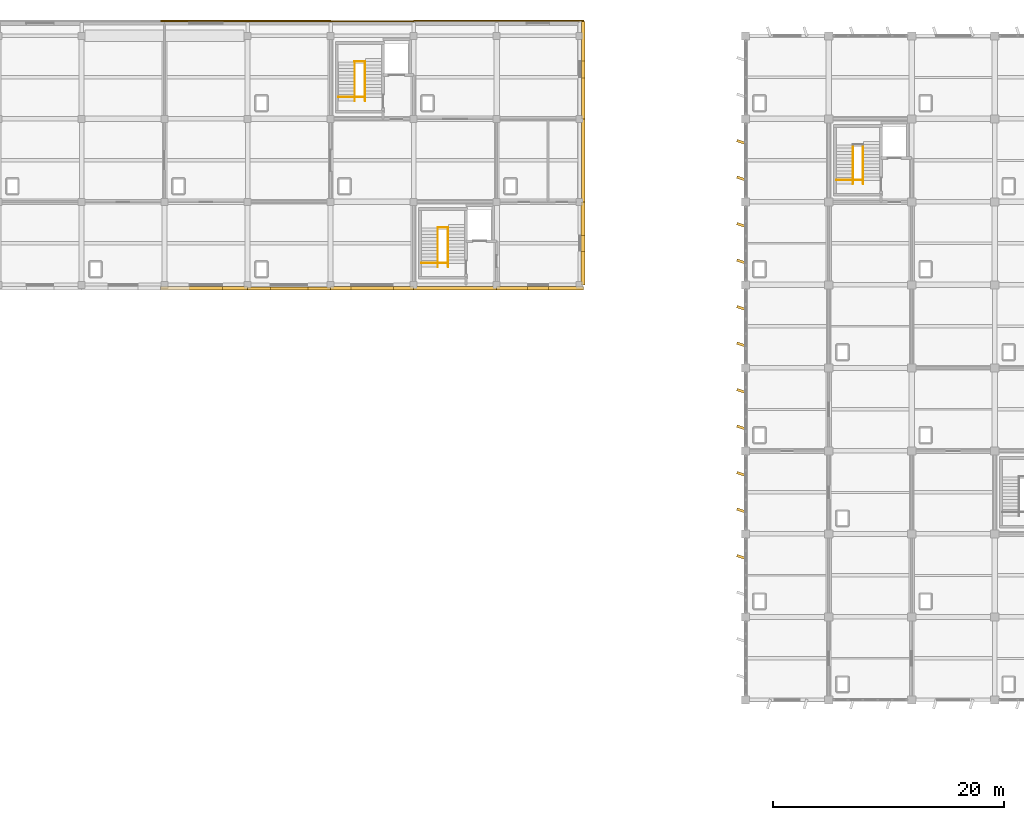
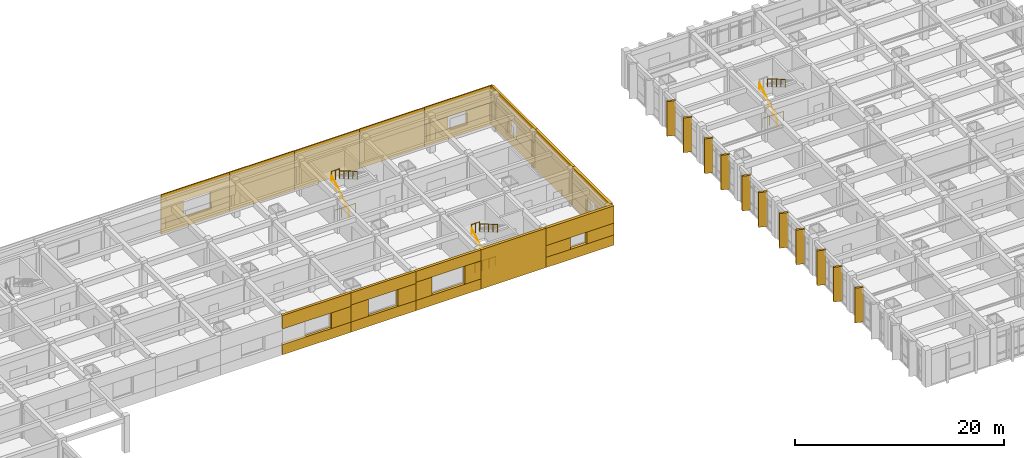
# One storey, part 67 of 70: 47 coverings, 11 railings.
"""IFC4 building model written with IfcOpenShell, lengths in metres."""

from ifc_helpers import new_model, si_unit, direction, frame, origin, origin_2d, place, context, subcontext, project, spatial, polyline, rectangle, circle, outline, extrude, material, layer, layer_set, type_object, element, save


model = new_model("IFC4")

# Units and contexts
model_context = context("Model", 3, precision=1e-05, world=origin(), true_north=direction((0.0, 1.0)))
body_context = subcontext(model_context, "Body", "Model", "MODEL_VIEW")
ifc_project = project(units=[si_unit("LENGTHUNIT", "METRE"), si_unit("AREAUNIT", "SQUARE_METRE"), si_unit("VOLUMEUNIT", "CUBIC_METRE"), si_unit("PLANEANGLEUNIT", "RADIAN"), si_unit("MASSUNIT", "GRAM", prefix="KILO")], contexts=[model_context])

# Site, building, storey
site_placement = place(None, origin())
site = spatial("IfcSite", under=ifc_project, at=site_placement, CompositionType="ELEMENT")
building_placement = place(site_placement, origin())
building = spatial("IfcBuilding", under=site, at=building_placement, Name="Kavelor Marine Aquarium", CompositionType="ELEMENT")
storey_placement = place(building_placement, frame((0.0, 0.0, 9.179931640625)))
storey = spatial("IfcBuildingStorey", under=building, at=storey_placement, Name="L02", CompositionType="ELEMENT", Elevation=9.179931640625)

# Coverings
ifc_material_1 = material(Name="Precast Concrete C45/55 Coastal Brise-Soleil Fin", Category="concrete")
ifc_layer_1 = layer(ifc_material_1, 0.219970703125)
ifc_layer_set_1 = layer_set([ifc_layer_1], Name="COV-CL1")
covering_type_1 = type_object("IfcCoveringType", Name="COV-CL1", PredefinedType="CLADDING", material=ifc_layer_set_1)
for number, where, z_axis, x_axis, name in (
    (1, (118.0400390625, 65.583984375, 0.0), (0.0, 0.0, 1.0), (0.951056516295, -0.309016994375, 0.0), "fin:y:L02:16_08:1"),
    (2, (118.0400390625, 69.615966796875, 0.0), (0.0, 0.0, 1.0), (0.951056516295, -0.309016994375, 0.0), "fin:y:L02:16_09:0"),
    (3, (118.0400390625, 72.783935546875, 0.0), (0.0, 0.0, 1.0), (0.951056516295, -0.309016994375, 0.0), "fin:y:L02:16_09:1"),
    (4, (118.0400390625, 76.81591796875, 0.0), (0.0, 0.0, 1.0), (0.951056516295, -0.309016994375, 0.0), "fin:y:L02:16_10:0"),
    (5, (118.0400390625, 79.98388671875, 0.0), (0.0, 0.0, 1.0), (0.951056516295, -0.309016994375, 0.0), "fin:y:L02:16_10:1"),
    (6, (118.0400390625, 84.01611328125, 0.0), (0.0, 0.0, 1.0), (0.951056516295, -0.309016994375, 0.0), "fin:y:L02:16_11:0"),
    (7, (118.0400390625, 87.18408203125, 0.0), (0.0, 0.0, 1.0), (0.951056516295, -0.309016994375, 0.0), "fin:y:L02:16_11:1"),
    (8, (118.0400390625, 91.216064453125, 0.0), (0.0, 0.0, 1.0), (0.951056516295, -0.309016994375, 0.0), "fin:y:L02:16_12:0"),
    (9, (118.0400390625, 94.384033203125, 0.0), (0.0, 0.0, 1.0), (0.951056516295, -0.309016994375, 0.0), "fin:y:L02:16_12:1"),
    (10, (118.0400390625, 98.416015625, 0.0), (0.0, 0.0, 1.0), (0.951056516295, -0.309016994375, 0.0), "fin:y:L02:16_13:0"),
    (11, (118.0400390625, 101.583984375, 0.0), (0.0, 0.0, 1.0), (0.951056516295, -0.309016994375, 0.0), "fin:y:L02:16_13:1"),
):
    element("IfcCovering", number, at=place(storey_placement, frame(where, z_axis=z_axis, x_axis=x_axis)), inside=storey, type_object=covering_type_1, Name=name, PredefinedType="CLADDING", context=body_context, shape_type="SweptSolid", body=[
        extrude(rectangle(XDim=0.85009765625, YDim=0.219970703125, at=origin_2d()), origin(), (0.0, 0.0, 1.0), 4.06005859375),
    ])
ifc_material_2 = material(Name="Smooth White Marine Aluminium Composite Cladding", Category="aluminium")
ifc_layer_2 = layer(ifc_material_2, 0.10009765625)
ifc_layer_set_2 = layer_set([ifc_layer_2], Name="COV-WM1")
covering_type_2 = type_object("IfcCoveringType", Name="COV-WM1", PredefinedType="CLADDING", material=ifc_layer_set_2)
covering_1_placement = place(storey_placement, frame((0.0, 0.0, -0.280029296875)))
element("IfcCovering", 12, at=covering_1_placement, inside=storey, type_object=covering_type_2, Name="wmc:x:L02:09_12:sill", PredefinedType="CLADDING", context=body_context, shape_type="SweptSolid", body=[
    extrude(outline(polyline([(67.64990234375, 88.760009765625), (75.199951171875, 88.760009765625), (75.199951171875, 89.0400390625), (67.64990234375, 89.0400390625), (67.64990234375, 88.760009765625)])), origin(), (0.0, 0.0, 1.0), 1.190185546875),
])
covering_2_placement = place(storey_placement, frame((0.0, 0.0, 2.739990234375)))
element("IfcCovering", 13, at=covering_2_placement, inside=storey, type_object=covering_type_2, Name="wmc:x:L02:09_12:head", PredefinedType="CLADDING", context=body_context, shape_type="SweptSolid", body=[
    extrude(outline(polyline([(67.64990234375, 88.760009765625), (75.199951171875, 88.760009765625), (75.199951171875, 89.0400390625), (67.64990234375, 89.0400390625), (67.64990234375, 88.760009765625)])), origin(), (0.0, 0.0, 1.0), 1.580078125),
])
covering_3_placement = place(storey_placement, frame((0.0, 0.0, 0.91015625)))
element("IfcCovering", 14, at=covering_3_placement, inside=storey, type_object=covering_type_2, Name="wmc:x:L02:09_12:right", PredefinedType="CLADDING", context=body_context, shape_type="SweptSolid", body=[
    extrude(outline(polyline([(73.0400390625, 88.760009765625), (75.199951171875, 88.760009765625), (75.199951171875, 89.0400390625), (73.0400390625, 89.0400390625), (73.0400390625, 88.760009765625)])), origin(), (0.0, 0.0, 1.0), 1.829833984375),
])
covering_4_placement = place(storey_placement, frame((0.0, 0.0, -0.280029296875)))
element("IfcCovering", 15, at=covering_4_placement, inside=storey, type_object=covering_type_2, Name="wmc:x:L02:09_15:sill", PredefinedType="CLADDING", context=body_context, shape_type="SweptSolid", body=[
    extrude(outline(polyline([(67.64990234375, 112.02001953125), (75.199951171875, 112.02001953125), (75.199951171875, 112.139892578125), (67.64990234375, 112.139892578125), (67.64990234375, 112.02001953125)])), origin(), (0.0, 0.0, 1.0), 1.190185546875),
])
covering_5_placement = place(storey_placement, frame((0.0, 0.0, 2.7900390625)))
element("IfcCovering", 16, at=covering_5_placement, inside=storey, type_object=covering_type_2, Name="wmc:x:L02:09_15:head", PredefinedType="CLADDING", context=body_context, shape_type="SweptSolid", body=[
    extrude(outline(polyline([(67.64990234375, 112.02001953125), (75.199951171875, 112.02001953125), (75.199951171875, 112.139892578125), (67.64990234375, 112.139892578125), (67.64990234375, 112.02001953125)])), origin(), (0.0, 0.0, 1.0), 1.530029296875),
])
covering_6_placement = place(storey_placement, frame((0.0, 0.0, 0.91015625)))
element("IfcCovering", 17, at=covering_6_placement, inside=storey, type_object=covering_type_2, Name="wmc:x:L02:09_15:left", PredefinedType="CLADDING", context=body_context, shape_type="SweptSolid", body=[
    extrude(outline(polyline([(67.64990234375, 112.02001953125), (70.110107421875, 112.02001953125), (70.110107421875, 112.139892578125), (67.64990234375, 112.139892578125), (67.64990234375, 112.02001953125)])), origin(), (0.0, 0.0, 1.0), 1.8798828125),
])
covering_7_placement = place(storey_placement, frame((0.0, 0.0, 0.91015625)))
element("IfcCovering", 18, at=covering_7_placement, inside=storey, type_object=covering_type_2, Name="wmc:x:L02:09_15:right", PredefinedType="CLADDING", context=body_context, shape_type="SweptSolid", body=[
    extrude(outline(polyline([(73.090087890625, 112.02001953125), (75.199951171875, 112.02001953125), (75.199951171875, 112.139892578125), (73.090087890625, 112.139892578125), (73.090087890625, 112.02001953125)])), origin(), (0.0, 0.0, 1.0), 1.8798828125),
])
covering_8_placement = place(storey_placement, frame((0.0, 0.0, -0.280029296875)))
element("IfcCovering", 19, at=covering_8_placement, inside=storey, type_object=covering_type_2, Name="wmc:x:L02:10_12:sill", PredefinedType="CLADDING", context=body_context, shape_type="SweptSolid", body=[
    extrude(outline(polyline([(75.199951171875, 88.760009765625), (82.39990234375, 88.760009765625), (82.39990234375, 89.030029296875), (75.199951171875, 89.030029296875), (75.199951171875, 88.760009765625)])), origin(), (0.0, 0.0, 1.0), 1.190185546875),
])
covering_9_placement = place(storey_placement, frame((0.0, 0.0, 2.89013671875)))
element("IfcCovering", 20, at=covering_9_placement, inside=storey, type_object=covering_type_2, Name="wmc:x:L02:10_12:head", PredefinedType="CLADDING", context=body_context, shape_type="SweptSolid", body=[
    extrude(outline(polyline([(75.199951171875, 88.760009765625), (82.39990234375, 88.760009765625), (82.39990234375, 89.030029296875), (75.199951171875, 89.030029296875), (75.199951171875, 88.760009765625)])), origin(), (0.0, 0.0, 1.0), 1.429931640625),
])
covering_10_placement = place(storey_placement, frame((0.0, 0.0, 0.91015625)))
element("IfcCovering", 21, at=covering_10_placement, inside=storey, type_object=covering_type_2, Name="wmc:x:L02:10_12:left", PredefinedType="CLADDING", context=body_context, shape_type="SweptSolid", body=[
    extrude(outline(polyline([(75.199951171875, 88.760009765625), (77.18505859375, 88.760009765625), (77.18505859375, 89.030029296875), (75.199951171875, 89.030029296875), (75.199951171875, 88.760009765625)])), origin(), (0.0, 0.0, 1.0), 1.97998046875),
])
covering_11_placement = place(storey_placement, frame((0.0, 0.0, 0.91015625)))
element("IfcCovering", 22, at=covering_11_placement, inside=storey, type_object=covering_type_2, Name="wmc:x:L02:10_12:right", PredefinedType="CLADDING", context=body_context, shape_type="SweptSolid", body=[
    extrude(outline(polyline([(80.4150390625, 88.760009765625), (82.39990234375, 88.760009765625), (82.39990234375, 89.030029296875), (80.4150390625, 89.030029296875), (80.4150390625, 88.760009765625)])), origin(), (0.0, 0.0, 1.0), 1.97998046875),
])
covering_12_placement = place(storey_placement, frame((0.0, 0.0, -0.280029296875)))
element("IfcCovering", 23, at=covering_12_placement, inside=storey, type_object=covering_type_2, Name="wmc:x:L02:10_15:full", PredefinedType="CLADDING", context=body_context, shape_type="SweptSolid", body=[
    extrude(outline(polyline([(75.199951171875, 112.010009765625), (82.39990234375, 112.010009765625), (82.39990234375, 112.1298828125), (75.199951171875, 112.1298828125), (75.199951171875, 112.010009765625)])), origin(), (0.0, 0.0, 1.0), 4.60009765625),
])
covering_13_placement = place(storey_placement, frame((0.0, 0.0, -0.280029296875)))
element("IfcCovering", 24, at=covering_13_placement, inside=storey, type_object=covering_type_2, Name="wmc:x:L02:11_12:sill", PredefinedType="CLADDING", context=body_context, shape_type="SweptSolid", body=[
    extrude(outline(polyline([(82.39990234375, 88.760009765625), (89.60009765625, 88.760009765625), (89.60009765625, 89.050048828125), (82.39990234375, 89.050048828125), (82.39990234375, 88.760009765625)])), origin(), (0.0, 0.0, 1.0), 1.190185546875),
])
covering_14_placement = place(storey_placement, frame((0.0, 0.0, 3.0400390625)))
element("IfcCovering", 25, at=covering_14_placement, inside=storey, type_object=covering_type_2, Name="wmc:x:L02:11_12:head", PredefinedType="CLADDING", context=body_context, shape_type="SweptSolid", body=[
    extrude(outline(polyline([(82.39990234375, 88.760009765625), (89.60009765625, 88.760009765625), (89.60009765625, 89.050048828125), (82.39990234375, 89.050048828125), (82.39990234375, 88.760009765625)])), origin(), (0.0, 0.0, 1.0), 1.280029296875),
])
covering_15_placement = place(storey_placement, frame((0.0, 0.0, 0.91015625)))
element("IfcCovering", 26, at=covering_15_placement, inside=storey, type_object=covering_type_2, Name="wmc:x:L02:11_12:left", PredefinedType="CLADDING", context=body_context, shape_type="SweptSolid", body=[
    extrude(outline(polyline([(82.39990234375, 88.760009765625), (84.159912109375, 88.760009765625), (84.159912109375, 89.050048828125), (82.39990234375, 89.050048828125), (82.39990234375, 88.760009765625)])), origin(), (0.0, 0.0, 1.0), 2.1298828125),
])
covering_16_placement = place(storey_placement, frame((0.0, 0.0, 0.91015625)))
element("IfcCovering", 27, at=covering_16_placement, inside=storey, type_object=covering_type_2, Name="wmc:x:L02:11_12:right", PredefinedType="CLADDING", context=body_context, shape_type="SweptSolid", body=[
    extrude(outline(polyline([(87.840087890625, 88.760009765625), (89.60009765625, 88.760009765625), (89.60009765625, 89.050048828125), (87.840087890625, 89.050048828125), (87.840087890625, 88.760009765625)])), origin(), (0.0, 0.0, 1.0), 2.1298828125),
])
covering_17_placement = place(storey_placement, frame((0.0, 0.0, -0.280029296875)))
element("IfcCovering", 28, at=covering_17_placement, inside=storey, type_object=covering_type_2, Name="wmc:x:L02:11_15:full", PredefinedType="CLADDING", context=body_context, shape_type="SweptSolid", body=[
    extrude(outline(polyline([(82.39990234375, 112.0), (89.60009765625, 112.0), (89.60009765625, 112.1201171875), (82.39990234375, 112.1201171875), (82.39990234375, 112.0)])), origin(), (0.0, 0.0, 1.0), 4.60009765625),
])
covering_18_placement = place(storey_placement, frame((0.0, 0.0, -0.280029296875)))
element("IfcCovering", 29, at=covering_18_placement, inside=storey, type_object=covering_type_2, Name="wmc:x:L02:12_12:full", PredefinedType="CLADDING", context=body_context, shape_type="SweptSolid", body=[
    extrude(outline(polyline([(89.60009765625, 88.760009765625), (96.800048828125, 88.760009765625), (96.800048828125, 89.06005859375), (89.60009765625, 89.06005859375), (89.60009765625, 88.760009765625)])), origin(), (0.0, 0.0, 1.0), 4.60009765625),
])
covering_19_placement = place(storey_placement, frame((0.0, 0.0, -0.280029296875)))
element("IfcCovering", 30, at=covering_19_placement, inside=storey, type_object=covering_type_2, Name="wmc:x:L02:12_15:full", PredefinedType="CLADDING", context=body_context, shape_type="SweptSolid", body=[
    extrude(outline(polyline([(89.60009765625, 112.0400390625), (96.800048828125, 112.0400390625), (96.800048828125, 112.159912109375), (89.60009765625, 112.159912109375), (89.60009765625, 112.0400390625)])), origin(), (0.0, 0.0, 1.0), 4.60009765625),
])
covering_20_placement = place(storey_placement, frame((0.0, 0.0, -0.280029296875)))
element("IfcCovering", 31, at=covering_20_placement, inside=storey, type_object=covering_type_2, Name="wmc:x:L02:13_12:sill", PredefinedType="CLADDING", context=body_context, shape_type="SweptSolid", body=[
    extrude(outline(polyline([(96.800048828125, 88.760009765625), (104.35009765625, 88.760009765625), (104.35009765625, 89.070068359375), (96.800048828125, 89.070068359375), (96.800048828125, 88.760009765625)])), origin(), (0.0, 0.0, 1.0), 1.190185546875),
])
covering_21_placement = place(storey_placement, frame((0.0, 0.0, 2.2900390625)))
element("IfcCovering", 32, at=covering_21_placement, inside=storey, type_object=covering_type_2, Name="wmc:x:L02:13_12:head", PredefinedType="CLADDING", context=body_context, shape_type="SweptSolid", body=[
    extrude(outline(polyline([(96.800048828125, 88.760009765625), (104.35009765625, 88.760009765625), (104.35009765625, 89.070068359375), (96.800048828125, 89.070068359375), (96.800048828125, 88.760009765625)])), origin(), (0.0, 0.0, 1.0), 2.030029296875),
])
covering_22_placement = place(storey_placement, frame((0.0, 0.0, 0.91015625)))
element("IfcCovering", 33, at=covering_22_placement, inside=storey, type_object=covering_type_2, Name="wmc:x:L02:13_12:left", PredefinedType="CLADDING", context=body_context, shape_type="SweptSolid", body=[
    extrude(outline(polyline([(96.800048828125, 88.760009765625), (99.485107421875, 88.760009765625), (99.485107421875, 89.070068359375), (96.800048828125, 89.070068359375), (96.800048828125, 88.760009765625)])), origin(), (0.0, 0.0, 1.0), 1.3798828125),
])
covering_23_placement = place(storey_placement, frame((0.0, 0.0, 0.91015625)))
element("IfcCovering", 34, at=covering_23_placement, inside=storey, type_object=covering_type_2, Name="wmc:x:L02:13_12:right", PredefinedType="CLADDING", context=body_context, shape_type="SweptSolid", body=[
    extrude(outline(polyline([(101.31494140625, 88.760009765625), (104.35009765625, 88.760009765625), (104.35009765625, 89.070068359375), (101.31494140625, 89.070068359375), (101.31494140625, 88.760009765625)])), origin(), (0.0, 0.0, 1.0), 1.3798828125),
])
covering_24_placement = place(storey_placement, frame((0.0, 0.0, -0.280029296875)))
element("IfcCovering", 35, at=covering_24_placement, inside=storey, type_object=covering_type_2, Name="wmc:x:L02:13_15:sill", PredefinedType="CLADDING", context=body_context, shape_type="SweptSolid", body=[
    extrude(outline(polyline([(96.800048828125, 112.050048828125), (104.35009765625, 112.050048828125), (104.35009765625, 112.169921875), (96.800048828125, 112.169921875), (96.800048828125, 112.050048828125)])), origin(), (0.0, 0.0, 1.0), 1.190185546875),
])
covering_25_placement = place(storey_placement, frame((0.0, 0.0, 2.340087890625)))
element("IfcCovering", 36, at=covering_25_placement, inside=storey, type_object=covering_type_2, Name="wmc:x:L02:13_15:head", PredefinedType="CLADDING", context=body_context, shape_type="SweptSolid", body=[
    extrude(outline(polyline([(96.800048828125, 112.050048828125), (104.35009765625, 112.050048828125), (104.35009765625, 112.169921875), (96.800048828125, 112.169921875), (96.800048828125, 112.050048828125)])), origin(), (0.0, 0.0, 1.0), 1.97998046875),
])
covering_26_placement = place(storey_placement, frame((0.0, 0.0, 0.91015625)))
element("IfcCovering", 37, at=covering_26_placement, inside=storey, type_object=covering_type_2, Name="wmc:x:L02:13_15:left", PredefinedType="CLADDING", context=body_context, shape_type="SweptSolid", body=[
    extrude(outline(polyline([(96.800048828125, 112.050048828125), (99.385009765625, 112.050048828125), (99.385009765625, 112.169921875), (96.800048828125, 112.169921875), (96.800048828125, 112.050048828125)])), origin(), (0.0, 0.0, 1.0), 1.429931640625),
])
covering_27_placement = place(storey_placement, frame((0.0, 0.0, 0.91015625)))
element("IfcCovering", 38, at=covering_27_placement, inside=storey, type_object=covering_type_2, Name="wmc:x:L02:13_15:right", PredefinedType="CLADDING", context=body_context, shape_type="SweptSolid", body=[
    extrude(outline(polyline([(101.4150390625, 112.050048828125), (104.35009765625, 112.050048828125), (104.35009765625, 112.169921875), (101.4150390625, 112.169921875), (101.4150390625, 112.050048828125)])), origin(), (0.0, 0.0, 1.0), 1.429931640625),
])
covering_28_placement = place(storey_placement, frame((0.0, 0.0, -0.280029296875)))
element("IfcCovering", 39, at=covering_28_placement, inside=storey, type_object=covering_type_2, Name="wmc:y:L02:14_12:sill", PredefinedType="CLADDING", context=body_context, shape_type="SweptSolid", body=[
    extrude(outline(polyline([(104.1201171875, 89.199951171875), (104.43994140625, 89.199951171875), (104.43994140625, 96.39990234375), (104.1201171875, 96.39990234375), (104.1201171875, 89.199951171875)])), origin(), (0.0, 0.0, 1.0), 1.190185546875),
])
covering_29_placement = place(storey_placement, frame((0.0, 0.0, 2.5400390625)))
element("IfcCovering", 40, at=covering_29_placement, inside=storey, type_object=covering_type_2, Name="wmc:y:L02:14_12:head", PredefinedType="CLADDING", context=body_context, shape_type="SweptSolid", body=[
    extrude(outline(polyline([(104.1201171875, 89.199951171875), (104.43994140625, 89.199951171875), (104.43994140625, 96.39990234375), (104.1201171875, 96.39990234375), (104.1201171875, 89.199951171875)])), origin(), (0.0, 0.0, 1.0), 1.780029296875),
])
covering_30_placement = place(storey_placement, frame((0.0, 0.0, 0.91015625)))
element("IfcCovering", 41, at=covering_30_placement, inside=storey, type_object=covering_type_2, Name="wmc:y:L02:14_12:left", PredefinedType="CLADDING", context=body_context, shape_type="SweptSolid", body=[
    extrude(outline(polyline([(104.1201171875, 89.199951171875), (104.43994140625, 89.199951171875), (104.43994140625, 92.110107421875), (104.1201171875, 92.110107421875), (104.1201171875, 89.199951171875)])), origin(), (0.0, 0.0, 1.0), 1.6298828125),
])
covering_31_placement = place(storey_placement, frame((0.0, 0.0, 0.91015625)))
element("IfcCovering", 42, at=covering_31_placement, inside=storey, type_object=covering_type_2, Name="wmc:y:L02:14_12:right", PredefinedType="CLADDING", context=body_context, shape_type="SweptSolid", body=[
    extrude(outline(polyline([(104.1201171875, 93.489990234375), (104.43994140625, 93.489990234375), (104.43994140625, 96.39990234375), (104.1201171875, 96.39990234375), (104.1201171875, 93.489990234375)])), origin(), (0.0, 0.0, 1.0), 1.6298828125),
])
covering_32_placement = place(storey_placement, frame((0.0, 0.0, -0.280029296875)))
element("IfcCovering", 43, at=covering_32_placement, inside=storey, type_object=covering_type_2, Name="wmc:y:L02:14_13:full", PredefinedType="CLADDING", context=body_context, shape_type="SweptSolid", body=[
    extrude(outline(polyline([(104.159912109375, 96.39990234375), (104.43994140625, 96.39990234375), (104.43994140625, 103.60009765625), (104.159912109375, 103.60009765625), (104.159912109375, 96.39990234375)])), origin(), (0.0, 0.0, 1.0), 4.60009765625),
])
covering_33_placement = place(storey_placement, frame((0.0, 0.0, -0.280029296875)))
element("IfcCovering", 44, at=covering_33_placement, inside=storey, type_object=covering_type_2, Name="wmc:y:L02:14_14:sill", PredefinedType="CLADDING", context=body_context, shape_type="SweptSolid", body=[
    extrude(outline(polyline([(104.169921875, 103.60009765625), (104.43994140625, 103.60009765625), (104.43994140625, 112.0400390625), (104.169921875, 112.0400390625), (104.169921875, 103.60009765625)])), origin(), (0.0, 0.0, 1.0), 1.190185546875),
])
covering_34_placement = place(storey_placement, frame((0.0, 0.0, 2.590087890625)))
element("IfcCovering", 45, at=covering_34_placement, inside=storey, type_object=covering_type_2, Name="wmc:y:L02:14_14:head", PredefinedType="CLADDING", context=body_context, shape_type="SweptSolid", body=[
    extrude(outline(polyline([(104.169921875, 103.60009765625), (104.43994140625, 103.60009765625), (104.43994140625, 112.0400390625), (104.169921875, 112.0400390625), (104.169921875, 103.60009765625)])), origin(), (0.0, 0.0, 1.0), 1.72998046875),
])
covering_35_placement = place(storey_placement, frame((0.0, 0.0, 0.91015625)))
element("IfcCovering", 46, at=covering_35_placement, inside=storey, type_object=covering_type_2, Name="wmc:y:L02:14_14:left", PredefinedType="CLADDING", context=body_context, shape_type="SweptSolid", body=[
    extrude(outline(polyline([(104.169921875, 103.60009765625), (104.43994140625, 103.60009765625), (104.43994140625, 107.1474609375), (104.169921875, 107.1474609375), (104.169921875, 103.60009765625)])), origin(), (0.0, 0.0, 1.0), 1.679931640625),
])
covering_36_placement = place(storey_placement, frame((0.0, 0.0, 0.91015625)))
element("IfcCovering", 47, at=covering_36_placement, inside=storey, type_object=covering_type_2, Name="wmc:y:L02:14_14:right", PredefinedType="CLADDING", context=body_context, shape_type="SweptSolid", body=[
    extrude(outline(polyline([(104.169921875, 108.62744140625), (104.43994140625, 108.62744140625), (104.43994140625, 112.0400390625), (104.169921875, 112.0400390625), (104.169921875, 108.62744140625)])), origin(), (0.0, 0.0, 1.0), 1.679931640625),
])

# Railings
ifc_material_3 = material(Name="Brushed Stainless Steel Wall and Flight Handrail", Category="steel")
railing_type_1 = type_object("IfcRailingType", Name="RL-HR1", PredefinedType="HANDRAIL", material=ifc_material_3)
railing_1_placement = place(storey_placement, frame((84.489990234375, 105.159912109375, 0.0)))
element("IfcRailing", 48, at=railing_1_placement, inside=storey, type_object=railing_type_1, Name="Stair Handrail ST06-1", PredefinedType="HANDRAIL", context=body_context, shape_type="SweptSolid", body=[
    extrude(circle(Radius=0.02001953125, at=origin_2d()), frame((0.0, 0.0, 0.8798828125), z_axis=(0.0, 0.861568075097, 0.507642051029), x_axis=(-1.0, 0.0, 0.0)), (0.0, 0.0, 1.0), 3.927734375),
    extrude(circle(Radius=0.01806640625, at=origin_2d()), origin(), (0.0, 0.0, 1.0), 0.85986328125),
    extrude(circle(Radius=0.01806640625, at=origin_2d()), frame((0.0, 0.845947265625, 0.49853515625)), (0.0, 0.0, 1.0), 0.85986328125),
    extrude(circle(Radius=0.01806640625, at=origin_2d()), frame((0.0, 1.69189453125, 0.9970703125)), (0.0, 0.0, 1.0), 0.85986328125),
    extrude(circle(Radius=0.01806640625, at=origin_2d()), frame((0.0, 2.5380859375, 1.495361328125)), (0.0, 0.0, 1.0), 0.85986328125),
    extrude(circle(Radius=0.01806640625, at=origin_2d()), frame((0.0, 3.384033203125, 1.993896484375)), (0.0, 0.0, 1.0), 0.85986328125),
])
railing_2_placement = place(storey_placement, frame((85.389892578125, 108.5439453125, 2.16015625)))
element("IfcRailing", 49, at=railing_2_placement, inside=storey, type_object=railing_type_1, Name="Stair Handrail ST06-2", PredefinedType="HANDRAIL", context=body_context, shape_type="SweptSolid", body=[
    extrude(circle(Radius=0.02001953125, at=origin_2d()), frame((0.0, 0.0, 0.8798828125), z_axis=(0.0, -0.861595260526, 0.507595909202), x_axis=(1.0, 0.0, 0.0)), (0.0, 0.0, 1.0), 3.927734375),
    extrude(circle(Radius=0.01806640625, at=origin_2d()), origin(), (0.0, 0.0, 1.0), 0.85986328125),
    extrude(circle(Radius=0.01806640625, at=origin_2d()), frame((0.0, -0.845947265625, 0.49853515625)), (0.0, 0.0, 1.0), 0.85986328125),
    extrude(circle(Radius=0.01806640625, at=origin_2d()), frame((0.0, -1.69189453125, 0.996826171875)), (0.0, 0.0, 1.0), 0.85986328125),
    extrude(circle(Radius=0.01806640625, at=origin_2d()), frame((0.0, -2.5380859375, 1.4951171875)), (0.0, 0.0, 1.0), 0.85986328125),
    extrude(circle(Radius=0.01806640625, at=origin_2d()), frame((0.0, -3.384033203125, 1.99365234375)), (0.0, 0.0, 1.0), 0.85986328125),
])
railing_3_placement = place(storey_placement, frame((91.68994140625, 90.760009765625, 0.0)))
element("IfcRailing", 50, at=railing_3_placement, inside=storey, type_object=railing_type_1, Name="Stair Handrail ST07-1", PredefinedType="HANDRAIL", context=body_context, shape_type="SweptSolid", body=[
    extrude(circle(Radius=0.02001953125, at=origin_2d()), frame((0.0, 0.0, 0.8798828125), z_axis=(0.0, 0.861568075097, 0.507642051029), x_axis=(-1.0, 0.0, 0.0)), (0.0, 0.0, 1.0), 3.927734375),
    extrude(circle(Radius=0.01806640625, at=origin_2d()), origin(), (0.0, 0.0, 1.0), 0.85986328125),
    extrude(circle(Radius=0.01806640625, at=origin_2d()), frame((0.0, 0.845947265625, 0.49853515625)), (0.0, 0.0, 1.0), 0.85986328125),
    extrude(circle(Radius=0.01806640625, at=origin_2d()), frame((0.0, 1.69189453125, 0.9970703125)), (0.0, 0.0, 1.0), 0.85986328125),
    extrude(circle(Radius=0.01806640625, at=origin_2d()), frame((0.0, 2.5380859375, 1.495361328125)), (0.0, 0.0, 1.0), 0.85986328125),
    extrude(circle(Radius=0.01806640625, at=origin_2d()), frame((0.0, 3.384033203125, 1.993896484375)), (0.0, 0.0, 1.0), 0.85986328125),
])
railing_4_placement = place(storey_placement, frame((92.590087890625, 94.14404296875, 2.16015625)))
element("IfcRailing", 51, at=railing_4_placement, inside=storey, type_object=railing_type_1, Name="Stair Handrail ST07-2", PredefinedType="HANDRAIL", context=body_context, shape_type="SweptSolid", body=[
    extrude(circle(Radius=0.02001953125, at=origin_2d()), frame((0.0, 0.0, 0.8798828125), z_axis=(0.0, -0.861595260526, 0.507595909202), x_axis=(1.0, 0.0, 0.0)), (0.0, 0.0, 1.0), 3.927734375),
    extrude(circle(Radius=0.01806640625, at=origin_2d()), origin(), (0.0, 0.0, 1.0), 0.85986328125),
    extrude(circle(Radius=0.01806640625, at=origin_2d()), frame((0.0, -0.845947265625, 0.49853515625)), (0.0, 0.0, 1.0), 0.85986328125),
    extrude(circle(Radius=0.01806640625, at=origin_2d()), frame((0.0, -1.69189453125, 0.996826171875)), (0.0, 0.0, 1.0), 0.85986328125),
    extrude(circle(Radius=0.01806640625, at=origin_2d()), frame((0.0, -2.5380859375, 1.4951171875)), (0.0, 0.0, 1.0), 0.85986328125),
    extrude(circle(Radius=0.01806640625, at=origin_2d()), frame((0.0, -3.384033203125, 1.99365234375)), (0.0, 0.0, 1.0), 0.85986328125),
])
railing_5_placement = place(storey_placement, frame((127.68994140625, 97.9599609375, 0.0)))
element("IfcRailing", 52, at=railing_5_placement, inside=storey, type_object=railing_type_1, Name="Stair Handrail ST10-1", PredefinedType="HANDRAIL", context=body_context, shape_type="SweptSolid", body=[
    extrude(circle(Radius=0.02001953125, at=origin_2d()), frame((0.0, 0.0, 0.8798828125), z_axis=(0.0, 0.861568075097, 0.507642051029), x_axis=(-1.0, 0.0, 0.0)), (0.0, 0.0, 1.0), 3.927734375),
    extrude(circle(Radius=0.01806640625, at=origin_2d()), origin(), (0.0, 0.0, 1.0), 0.85986328125),
    extrude(circle(Radius=0.01806640625, at=origin_2d()), frame((0.0, 0.845947265625, 0.49853515625)), (0.0, 0.0, 1.0), 0.85986328125),
    extrude(circle(Radius=0.01806640625, at=origin_2d()), frame((0.0, 1.69189453125, 0.9970703125)), (0.0, 0.0, 1.0), 0.85986328125),
    extrude(circle(Radius=0.01806640625, at=origin_2d()), frame((0.0, 2.5380859375, 1.495361328125)), (0.0, 0.0, 1.0), 0.85986328125),
    extrude(circle(Radius=0.01806640625, at=origin_2d()), frame((0.0, 3.384033203125, 1.993896484375)), (0.0, 0.0, 1.0), 0.85986328125),
])
railing_6_placement = place(storey_placement, frame((128.590087890625, 101.343994140625, 2.16015625)))
element("IfcRailing", 53, at=railing_6_placement, inside=storey, type_object=railing_type_1, Name="Stair Handrail ST10-2", PredefinedType="HANDRAIL", context=body_context, shape_type="SweptSolid", body=[
    extrude(circle(Radius=0.02001953125, at=origin_2d()), frame((0.0, 0.0, 0.8798828125), z_axis=(0.0, -0.861595260526, 0.507595909202), x_axis=(1.0, 0.0, 0.0)), (0.0, 0.0, 1.0), 3.927734375),
    extrude(circle(Radius=0.01806640625, at=origin_2d()), origin(), (0.0, 0.0, 1.0), 0.85986328125),
    extrude(circle(Radius=0.01806640625, at=origin_2d()), frame((0.0, -0.845947265625, 0.49853515625)), (0.0, 0.0, 1.0), 0.85986328125),
    extrude(circle(Radius=0.01806640625, at=origin_2d()), frame((0.0, -1.69189453125, 0.996826171875)), (0.0, 0.0, 1.0), 0.85986328125),
    extrude(circle(Radius=0.01806640625, at=origin_2d()), frame((0.0, -2.5380859375, 1.4951171875)), (0.0, 0.0, 1.0), 0.85986328125),
    extrude(circle(Radius=0.01806640625, at=origin_2d()), frame((0.0, -3.384033203125, 1.99365234375)), (0.0, 0.0, 1.0), 0.85986328125),
])
ifc_material_4 = material(Name="Brushed Stainless Steel Stair Guardrail", Category="steel")
railing_type_2 = type_object("IfcRailingType", Name="RL-SG1", PredefinedType="GUARDRAIL", material=ifc_material_4)
railing_7_placement = place(storey_placement, frame((84.489990234375, 108.573974609375, 2.16015625)))
element("IfcRailing", 54, at=railing_7_placement, inside=storey, type_object=railing_type_2, Name="Landing Guardrail ST06-M", PredefinedType="GUARDRAIL", context=body_context, shape_type="SweptSolid", body=[
    extrude(circle(Radius=0.0224609375, at=origin_2d()), frame((0.0, 0.0, 1.09765625), z_axis=(1.0, 0.0, 0.0), x_axis=(0.0, 1.0, 0.0)), (0.0, 0.0, 1.0), 0.89990234375),
    extrude(circle(Radius=0.02099609375, at=origin_2d()), origin(), (0.0, 0.0, 1.0), 1.0751953125),
    extrude(circle(Radius=0.02099609375, at=origin_2d()), frame((0.449951171875, 0.0, 0.0)), (0.0, 0.0, 1.0), 1.0751953125),
    extrude(circle(Radius=0.02099609375, at=origin_2d()), frame((0.89990234375, 0.0, 0.0)), (0.0, 0.0, 1.0), 1.0751953125),
])
railing_8_placement = place(storey_placement, frame((83.080078125, 105.47998046875, 0.0)))
element("IfcRailing", 55, at=railing_8_placement, inside=storey, type_object=railing_type_2, Name="Stairwell Guardrail ST06-W", PredefinedType="GUARDRAIL", context=body_context, shape_type="SweptSolid", body=[
    extrude(circle(Radius=0.0224609375, at=origin_2d()), frame((0.0, 0.0, 1.09765625), z_axis=(1.0, 0.0, 0.0), x_axis=(0.0, 1.0, 0.0)), (0.0, 0.0, 1.0), 2.2998046875),
    extrude(circle(Radius=0.02099609375, at=origin_2d()), origin(), (0.0, 0.0, 1.0), 1.0751953125),
    extrude(circle(Radius=0.02099609375, at=origin_2d()), frame((0.7666015625, 0.0, 0.0)), (0.0, 0.0, 1.0), 1.0751953125),
    extrude(circle(Radius=0.02099609375, at=origin_2d()), frame((1.533203125, 0.0, 0.0)), (0.0, 0.0, 1.0), 1.0751953125),
    extrude(circle(Radius=0.02099609375, at=origin_2d()), frame((2.2998046875, 0.0, 0.0)), (0.0, 0.0, 1.0), 1.0751953125),
])
railing_9_placement = place(storey_placement, frame((91.68994140625, 94.174072265625, 2.16015625)))
element("IfcRailing", 56, at=railing_9_placement, inside=storey, type_object=railing_type_2, Name="Landing Guardrail ST07-M", PredefinedType="GUARDRAIL", context=body_context, shape_type="SweptSolid", body=[
    extrude(circle(Radius=0.0224609375, at=origin_2d()), frame((0.0, 0.0, 1.09765625), z_axis=(1.0, 0.0, 0.0), x_axis=(0.0, 1.0, 0.0)), (0.0, 0.0, 1.0), 0.900146484375),
    extrude(circle(Radius=0.02099609375, at=origin_2d()), origin(), (0.0, 0.0, 1.0), 1.0751953125),
    extrude(circle(Radius=0.02099609375, at=origin_2d()), frame((0.4501953125, 0.0, 0.0)), (0.0, 0.0, 1.0), 1.0751953125),
    extrude(circle(Radius=0.02099609375, at=origin_2d()), frame((0.900146484375, 0.0, 0.0)), (0.0, 0.0, 1.0), 1.0751953125),
])
for number, where, name in (
    (57, (90.280029296875, 91.080078125, 0.0), "Stairwell Guardrail ST07-W"),
    (58, (126.280029296875, 98.280029296875, 0.0), "Stairwell Guardrail ST10-W"),
):
    element("IfcRailing", number, at=place(storey_placement, frame(where)), inside=storey, type_object=railing_type_2, Name=name, PredefinedType="GUARDRAIL", context=body_context, shape_type="SweptSolid", body=[
        extrude(circle(Radius=0.0224609375, at=origin_2d()), frame((0.0, 0.0, 1.09765625), z_axis=(1.0, 0.0, 0.0), x_axis=(0.0, 1.0, 0.0)), (0.0, 0.0, 1.0), 2.300048828125),
        extrude(circle(Radius=0.02099609375, at=origin_2d()), origin(), (0.0, 0.0, 1.0), 1.0751953125),
        extrude(circle(Radius=0.02099609375, at=origin_2d()), frame((0.7666015625, 0.0, 0.0)), (0.0, 0.0, 1.0), 1.0751953125),
        extrude(circle(Radius=0.02099609375, at=origin_2d()), frame((1.533447265625, 0.0, 0.0)), (0.0, 0.0, 1.0), 1.0751953125),
        extrude(circle(Radius=0.02099609375, at=origin_2d()), frame((2.300048828125, 0.0, 0.0)), (0.0, 0.0, 1.0), 1.0751953125),
    ])

save(model, "model.ifc")
